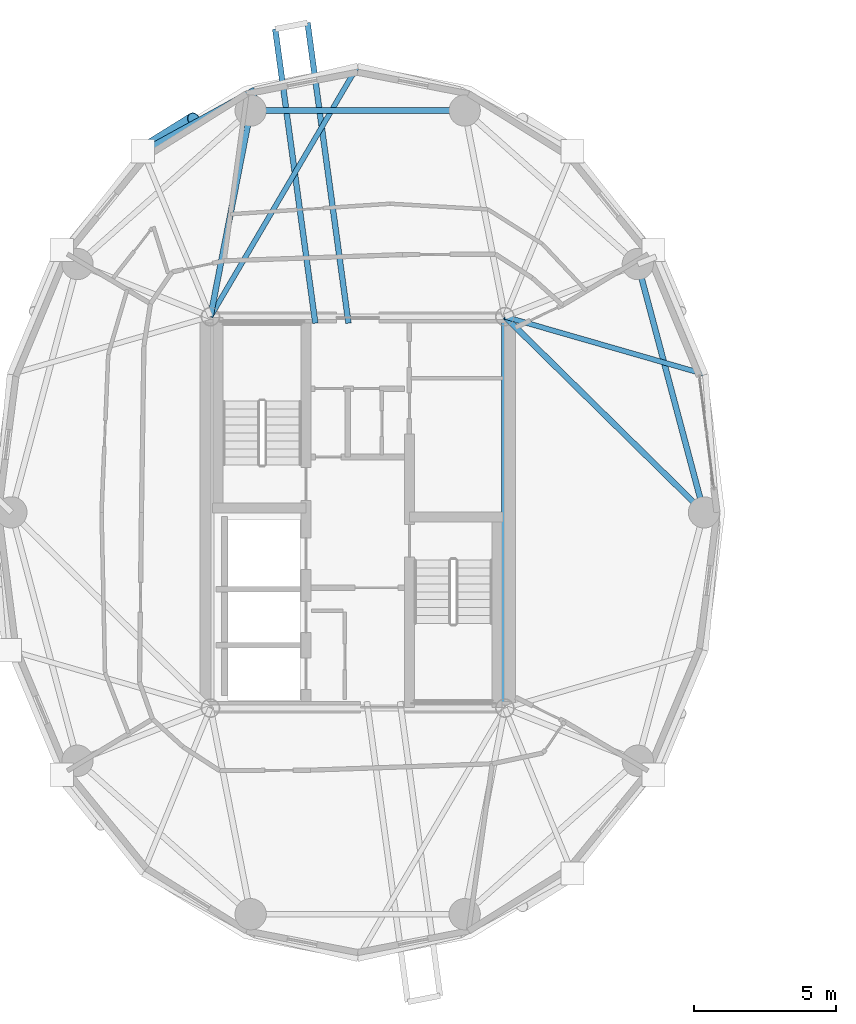
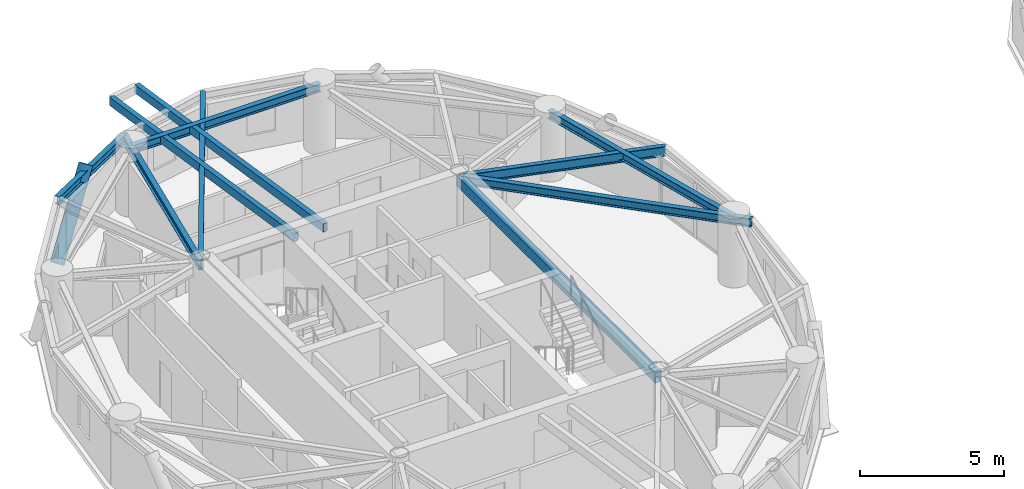
# One storey, part 2 of 16: 10 beams, 1 member.
"""IFC4 building model written with IfcOpenShell, lengths in metres."""

from ifc_helpers import new_model, si_unit, direction, frame, origin, origin_2d, place, context, subcontext, project, spatial, hollow_rectangle, hollow_circle, i_section, extrude, material, material_profile, profile_set, type_object, element, save


model = new_model("IFC4")

# Units and contexts
model_context = context("Model", 3, precision=1e-05, world=origin(), true_north=direction((0.0, 1.0)))
body_context = subcontext(model_context, "Body", "Model", "MODEL_VIEW")
ifc_project = project(units=[si_unit("LENGTHUNIT", "METRE"), si_unit("AREAUNIT", "SQUARE_METRE"), si_unit("VOLUMEUNIT", "CUBIC_METRE"), si_unit("PLANEANGLEUNIT", "RADIAN"), si_unit("MASSUNIT", "GRAM", prefix="KILO")], contexts=[model_context])

# Site, building, storey
site_placement = place(None, origin())
site = spatial("IfcSite", under=ifc_project, at=site_placement, CompositionType="ELEMENT")
building_placement = place(site_placement, origin())
building = spatial("IfcBuilding", under=site, at=building_placement, Name="Cununo Teusaquillo Station Towers", CompositionType="ELEMENT")
storey_placement = place(building_placement, frame((0.0, 0.0, 219.93994140625)))
storey = spatial("IfcBuildingStorey", under=building, at=storey_placement, Name="L70", CompositionType="ELEMENT", Elevation=219.93994140625)

# Beams
ifc_material_1 = material(Name="Steel EN 10025-2 S355J2", Category="steel")
ifc_material_profile_1 = material_profile(ifc_material_1, hollow_rectangle(XDim=0.199951171875, YDim=0.35009765625, WallThickness=0.013916015625, at=origin_2d()), Name="RHS 350x200x14")
ifc_profile_set_1 = profile_set([ifc_material_profile_1], Name="Steel EN 10025-2 S355J2")
beam_type_1 = type_object("IfcBeamType", Name="BM-BAL-CANT", PredefinedType="BEAM", material=ifc_profile_set_1)
beam_1_placement = place(storey_placement, frame((16.177001953125, 31.14990234375, 2.525146484375), z_axis=(-0.135006880627, 0.990844660975, 0.0), x_axis=(-0.990844660975, -0.135006880627, 0.0)))
element("IfcBeam", 1, at=beam_1_placement, inside=storey, type_object=beam_type_1, Name="L70 Tower A Balcony Cantilever Bracket 1A", PredefinedType="BEAM", context=body_context, shape_type="SweptSolid", body=[
    extrude(hollow_rectangle(XDim=0.199951171875, YDim=0.35009765625, WallThickness=0.013916015625, at=origin_2d()), origin(), (0.0, 0.0, 1.0), 10.65673828125),
])
beam_2_placement = place(storey_placement, frame((15.0107421875, 31.14990234375, 2.525146484375), z_axis=(-0.135018196505, 0.990843119072, 0.0), x_axis=(-0.990843119072, -0.135018196505, 0.0)))
element("IfcBeam", 2, at=beam_2_placement, inside=storey, type_object=beam_type_1, Name="L70 Tower A Balcony Cantilever Bracket 1B", PredefinedType="BEAM", context=body_context, shape_type="SweptSolid", body=[
    extrude(hollow_rectangle(XDim=0.199951171875, YDim=0.35009765625, WallThickness=0.013916015625, at=origin_2d()), origin(), (0.0, 0.0, 1.0), 10.43505859375),
])
ifc_material_2 = material(Name="Steel EN 10025-2 S355J2", Category="steel")
ifc_material_profile_2 = material_profile(ifc_material_2, hollow_rectangle(XDim=0.25, YDim=0.449951171875, WallThickness=0.01611328125, at=origin_2d()), Name="RHS 450x250x16")
ifc_profile_set_2 = profile_set([ifc_material_profile_2], Name="Steel EN 10025-2 S355J2")
beam_type_2 = type_object("IfcBeamType", Name="BM-COUP-1", PredefinedType="USERDEFINED", material=ifc_profile_set_2)
beam_3_placement = place(storey_placement, frame((21.675048828125, 17.6201171875, 2.47509765625), z_axis=(0.0, 1.0, 0.0), x_axis=(-1.0, 0.0, 0.0)))
element("IfcBeam", 3, at=beam_3_placement, inside=storey, type_object=beam_type_2, Name="L70 Tower A Core Beam 2", ObjectType="COUPLING BEAM", PredefinedType="USERDEFINED", context=body_context, shape_type="SweptSolid", body=[
    extrude(hollow_rectangle(XDim=0.25, YDim=0.449951171875, WallThickness=0.01611328125, at=origin_2d()), origin(), (0.0, 0.0, 1.0), 13.759765625),
])
ifc_material_3 = material(Name="Steel ASTM A572 Grade 50", Category="steel")
ifc_material_profile_3 = material_profile(ifc_material_3, i_section(OverallWidth=0.180908203125, OverallDepth=0.4169921875, WebThickness=0.010986328125, FlangeThickness=0.018310546875, FilletRadius=0.012939453125, at=origin_2d()), Name="W16X57")
ifc_profile_set_3 = profile_set([ifc_material_profile_3], Name="Steel ASTM A572 Grade 50")
beam_type_3 = type_object("IfcBeamType", Name="BM-JOIST-1", PredefinedType="JOIST", material=ifc_profile_set_3)
beam_4_placement = place(storey_placement, frame((21.675048828125, 31.3798828125, 2.491455078125), z_axis=(0.960861603375, -0.277028841748, 0.0), x_axis=(0.277028841748, 0.960861603375, 0.0)))
element("IfcBeam", 4, at=beam_4_placement, inside=storey, type_object=beam_type_3, Name="L70 Tower A Radial Spandrel Joist V01", PredefinedType="JOIST", context=body_context, shape_type="SweptSolid", body=[
    extrude(i_section(OverallWidth=0.180908203125, OverallDepth=0.4169921875, WebThickness=0.010986328125, FlangeThickness=0.018310546875, FilletRadius=0.012939453125, at=origin_2d()), origin(), (0.0, 0.0, 1.0), 7.333251953125),
])
beam_5_placement = place(storey_placement, frame((11.324951171875, 31.3798828125, 2.491455078125), z_axis=(0.506486432091, 0.862247930765, 0.0), x_axis=(-0.862247930765, 0.506486432091, 0.0)))
element("IfcBeam", 5, at=beam_5_placement, inside=storey, type_object=beam_type_3, Name="L70 Tower A Radial Spandrel Joist V05", PredefinedType="JOIST", context=body_context, shape_type="SweptSolid", body=[
    extrude(i_section(OverallWidth=0.180908203125, OverallDepth=0.4169921875, WebThickness=0.010986328125, FlangeThickness=0.018310546875, FilletRadius=0.012939453125, at=origin_2d()), origin(), (0.0, 0.0, 1.0), 10.217529296875),
])
ifc_material_4 = material(Name="Steel ASTM A572 Grade 50", Category="steel")
ifc_material_profile_4 = material_profile(ifc_material_4, i_section(OverallWidth=0.2041015625, OverallDepth=0.35009765625, WebThickness=0.008544921875, FlangeThickness=0.01513671875, FilletRadius=0.011962890625, at=origin_2d()), Name="W14X48")
ifc_profile_set_4 = profile_set([ifc_material_profile_4], Name="Steel ASTM A572 Grade 50")
beam_type_4 = type_object("IfcBeamType", Name="BM-RAD-G3", PredefinedType="BEAM", material=ifc_profile_set_4)
beam_6_placement = place(storey_placement, frame((21.675048828125, 31.3798828125, 2.525146484375), z_axis=(0.713043510712, -0.701119784225, 0.0), x_axis=(0.701119784225, 0.713043510712, 0.0)))
element("IfcBeam", 6, at=beam_6_placement, inside=storey, type_object=beam_type_4, Name="L70 Tower A Continuous Overhanging Radial Girder 01", PredefinedType="BEAM", context=body_context, shape_type="SweptSolid", body=[
    extrude(i_section(OverallWidth=0.2041015625, OverallDepth=0.35009765625, WebThickness=0.008544921875, FlangeThickness=0.01513671875, FilletRadius=0.011962890625, at=origin_2d()), origin(), (0.0, 0.0, 1.0), 10.462890625),
])
beam_7_placement = place(storey_placement, frame((11.324951171875, 31.3798828125, 2.525146484375), z_axis=(0.191548487699, 0.981483151593, 0.0), x_axis=(-0.981483151593, 0.191548487699, 0.0)))
element("IfcBeam", 7, at=beam_7_placement, inside=storey, type_object=beam_type_4, Name="L70 Tower A Continuous Overhanging Radial Girder 04", PredefinedType="BEAM", context=body_context, shape_type="SweptSolid", body=[
    extrude(i_section(OverallWidth=0.2041015625, OverallDepth=0.35009765625, WebThickness=0.008544921875, FlangeThickness=0.01513671875, FilletRadius=0.011962890625, at=origin_2d()), origin(), (0.0, 0.0, 1.0), 8.1240234375),
])
ifc_material_5 = material(Name="Steel ASTM A572 Grade 50", Category="steel")
ifc_material_profile_5 = material_profile(ifc_material_5, i_section(OverallWidth=0.2041015625, OverallDepth=0.35009765625, WebThickness=0.008544921875, FlangeThickness=0.01513671875, FilletRadius=0.011962890625, at=origin_2d()), Name="W14X48")
ifc_profile_set_5 = profile_set([ifc_material_profile_5], Name="Steel ASTM A572 Grade 50")
beam_type_5 = type_object("IfcBeamType", Name="BM-RING-Z4", PredefinedType="SPANDREL", material=ifc_profile_set_5)
beam_8_placement = place(storey_placement, frame((28.672119140625, 24.5, 2.525146484375), z_axis=(-0.257363196347, 0.966314744359, 0.0), x_axis=(-0.966314744359, -0.257363196347, 0.0)))
element("IfcBeam", 8, at=beam_8_placement, inside=storey, type_object=beam_type_5, Name="L70 Tower A Structural Column Ring Girder 01", PredefinedType="SPANDREL", context=body_context, shape_type="SweptSolid", body=[
    extrude(i_section(OverallWidth=0.2041015625, OverallDepth=0.35009765625, WebThickness=0.008544921875, FlangeThickness=0.01513671875, FilletRadius=0.011962890625, at=origin_2d()), origin(), (0.0, 0.0, 1.0), 9.03271484375),
])
beam_9_placement = place(storey_placement, frame((20.261474609375, 38.623291015625, 2.525146484375), z_axis=(-1.0, 0.0, 0.0), x_axis=(0.0, -1.0, 0.0)))
element("IfcBeam", 9, at=beam_9_placement, inside=storey, type_object=beam_type_5, Name="L70 Tower A Structural Column Ring Girder 03", PredefinedType="SPANDREL", context=body_context, shape_type="SweptSolid", body=[
    extrude(i_section(OverallWidth=0.2041015625, OverallDepth=0.35009765625, WebThickness=0.008544921875, FlangeThickness=0.01513671875, FilletRadius=0.011962890625, at=origin_2d()), origin(), (0.0, 0.0, 1.0), 7.52294921875),
])
beam_10_placement = place(storey_placement, frame((12.881103515625, 39.353515625, 2.525146484375), z_axis=(-0.876576300909, -0.481262910149, 0.0), x_axis=(0.481262910149, -0.876576300909, 0.0)))
element("IfcBeam", 10, at=beam_10_placement, inside=storey, type_object=beam_type_5, Name="L70 Tower A Spandrel Ring Beam 07", PredefinedType="SPANDREL", context=body_context, shape_type="SweptSolid", body=[
    extrude(i_section(OverallWidth=0.2041015625, OverallDepth=0.35009765625, WebThickness=0.008544921875, FlangeThickness=0.01513671875, FilletRadius=0.011962890625, at=origin_2d()), origin(), (0.0, 0.0, 1.0), 4.488037109375),
])

# Member
ifc_material_6 = material(Name="Steel EN 10025-2 S355J2", Category="steel")
ifc_material_profile_6 = material_profile(ifc_material_6, hollow_circle(Radius=0.25390625, WallThickness=0.01806640625, at=origin_2d()), Name="CHS 508x18")
ifc_profile_set_6 = profile_set([ifc_material_profile_6], Name="Steel EN 10025-2 S355J2")
member_type = type_object("IfcMemberType", Name="MBR-DIAG-Z4", PredefinedType="BRACE", material=ifc_profile_set_6)
member_placement = place(storey_placement, frame((8.947021484375, 37.193603515625, -0.139892578125), z_axis=(0.498333742466, 0.310032061152, 0.809656471708), x_axis=(-0.528249968439, 0.849088906325, 0.0)))
element("IfcMember", 11, at=member_placement, inside=storey, type_object=member_type, Name="L70 Tower A Folded-Zigzag Diagrid Tube C06", PredefinedType="BRACE", context=body_context, shape_type="SweptSolid", body=[
    extrude(hollow_circle(Radius=0.25390625, WallThickness=0.01806640625, at=origin_2d()), origin(), (0.0, 0.0, 1.0), 3.593994140625),
])

save(model, "model.ifc")
